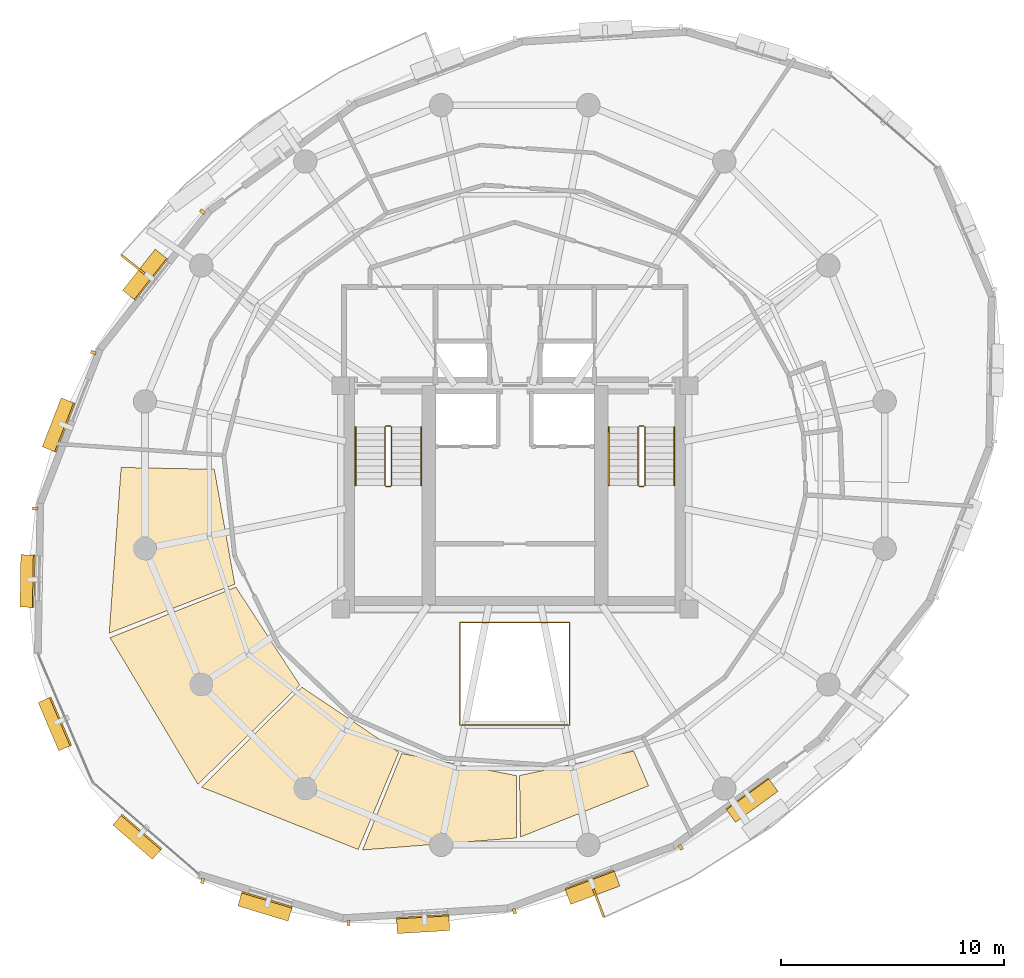
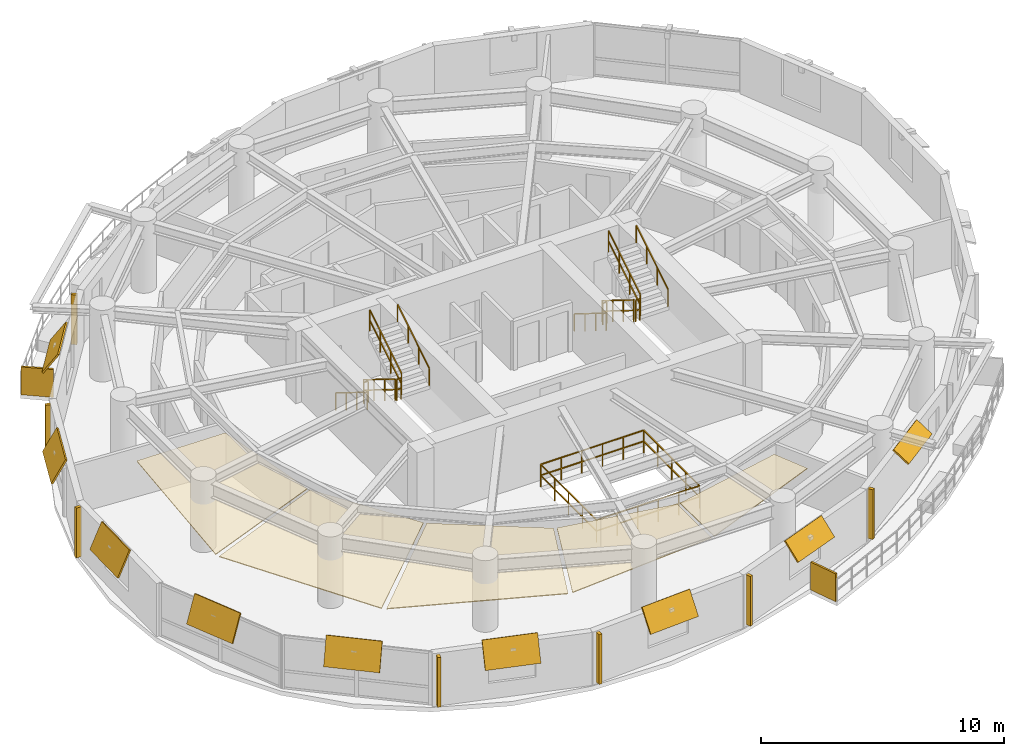
# One storey, part 11 of 12: 18 shading devices, 13 railings, 5 coverings.
"""IFC4 building model written with IfcOpenShell, lengths in metres."""

from ifc_helpers import new_model, si_unit, direction, frame, origin, origin_2d, place, context, subcontext, project, spatial, polyline, rectangle, outline, extrude, material, layer, layer_set, type_object, element, save


model = new_model("IFC4")

# Units and contexts
model_context = context("Model", 3, precision=1e-05, world=origin(), true_north=direction((0.0, 1.0)))
body_context = subcontext(model_context, "Body", "Model", "MODEL_VIEW")
ifc_project = project(units=[si_unit("LENGTHUNIT", "METRE"), si_unit("AREAUNIT", "SQUARE_METRE"), si_unit("VOLUMEUNIT", "CUBIC_METRE"), si_unit("PLANEANGLEUNIT", "RADIAN"), si_unit("MASSUNIT", "GRAM", prefix="KILO"), si_unit("THERMODYNAMICTEMPERATUREUNIT", "KELVIN"), si_unit("POWERUNIT", "WATT")], contexts=[model_context])

# Site, building, storey
site_placement = place(None, origin())
site = spatial("IfcSite", under=ifc_project, at=site_placement, CompositionType="ELEMENT")
building_placement = place(site_placement, origin())
building = spatial("IfcBuilding", under=site, at=building_placement, Name="Ocrelia Relay Tower", CompositionType="ELEMENT")
storey_placement = place(building_placement, frame((0.0, 0.0, 184.39990234375)))
storey = spatial("IfcBuildingStorey", under=building, at=storey_placement, Name="L44", CompositionType="ELEMENT", Elevation=184.39990234375)

# Coverings
ifc_material_1 = material(Name="Mineral-fiber acoustic ceiling tile", Category="gypsum")
ifc_layer_1 = layer(ifc_material_1, 0.0400390625, Name="Mineral-fiber acoustic ceiling tile")
ifc_layer_set_1 = layer_set([ifc_layer_1], Name="Mineral-fiber acoustic ceiling tile")
covering_type = type_object("IfcCoveringType", Name="COV-CEIL-ACOUSTIC", PredefinedType="CEILING", material=ifc_layer_set_1)
covering_1_placement = place(storey_placement, frame((0.0, 0.0, 2.380126953125)))
element("IfcCovering", 1, at=covering_1_placement, inside=storey, type_object=covering_type, Name="L44 Spectrum Operations Office Suspended Ceiling 1", PredefinedType="CEILING", context=body_context, shape_type="SweptSolid", body=[
    extrude(outline(polyline([(20.532470703125, 26.258544921875), (16.355224609375, 26.3388671875), (15.82177734375, 18.91259765625), (21.4501953125, 21.10693359375), (20.532470703125, 26.258544921875)])), origin(), (0.0, 0.0, 1.0), 0.0400390625),
])
covering_2_placement = place(storey_placement, frame((0.0, 0.0, 2.380126953125)))
element("IfcCovering", 2, at=covering_2_placement, inside=storey, type_object=covering_type, Name="L44 Spectrum Operations Office Suspended Ceiling 2", PredefinedType="CEILING", context=body_context, shape_type="SweptSolid", body=[
    extrude(outline(polyline([(21.501953125, 20.975830078125), (15.86279296875, 18.708984375), (19.798095703125, 12.140869140625), (24.359619140625, 16.59228515625), (21.501953125, 20.975830078125)])), origin(), (0.0, 0.0, 1.0), 0.0400390625),
])
covering_3_placement = place(storey_placement, frame((0.0, 0.0, 2.380126953125)))
element("IfcCovering", 3, at=covering_3_placement, inside=storey, type_object=covering_type, Name="L44 Spectrum Operations Office Suspended Ceiling 3", PredefinedType="CEILING", context=body_context, shape_type="SweptSolid", body=[
    extrude(outline(polyline([(24.458740234375, 16.491943359375), (19.96044921875, 12.00927734375), (26.979736328125, 9.2177734375), (28.8017578125, 13.573486328125), (24.458740234375, 16.491943359375)])), origin(), (0.0, 0.0, 1.0), 0.0400390625),
])
covering_4_placement = place(storey_placement, frame((0.0, 0.0, 2.380126953125)))
element("IfcCovering", 4, at=covering_4_placement, inside=storey, type_object=covering_type, Name="L44 Spectrum Operations Office Suspended Ceiling 4", PredefinedType="CEILING", context=body_context, shape_type="SweptSolid", body=[
    extrude(outline(polyline([(28.932373046875, 13.519775390625), (27.176513671875, 9.195556640625), (34.085205078125, 9.7333984375), (34.070556640625, 12.5302734375), (28.932373046875, 13.519775390625)])), origin(), (0.0, 0.0, 1.0), 0.0400390625),
])
covering_5_placement = place(storey_placement, frame((0.0, 0.0, 2.380126953125)))
element("IfcCovering", 5, at=covering_5_placement, inside=storey, type_object=covering_type, Name="L44 Spectrum Operations Office Suspended Ceiling 5", PredefinedType="CEILING", context=body_context, shape_type="SweptSolid", body=[
    extrude(outline(polyline([(34.211669921875, 12.53173828125), (34.2548828125, 9.7763671875), (39.997802734375, 12.072998046875), (39.327880859375, 13.62841796875), (34.211669921875, 12.53173828125)])), origin(), (0.0, 0.0, 1.0), 0.0400390625),
])

# Railings
ifc_material_2 = material(Name="Steel S355 atrium balustrade", Category="steel")
railing_type_1 = type_object("IfcRailingType", Name="RL-INT-GUARD-115", PredefinedType="GUARDRAIL", material=ifc_material_2)
railing_1_placement = place(storey_placement, frame((31.550048828125, 14.800048828125, 0.0)))
element("IfcRailing", 6, at=railing_1_placement, inside=storey, type_object=railing_type_1, Name="L44 Multi-Zone Interior Atrium Guard", PredefinedType="GUARDRAIL", context=body_context, shape_type="SweptSolid", body=[
    extrude(rectangle(XDim=0.048095703125, YDim=0.048095703125, at=origin_2d()), frame((0.0, 0.0, 1.1259765625), z_axis=(1.0, 0.0, 0.0), x_axis=(0.0, 1.0, 0.0)), (0.0, 0.0, 1.0), 4.89990234375),
    extrude(rectangle(XDim=0.048095703125, YDim=0.048095703125, at=origin_2d()), frame((0.0, 0.0, 0.574951171875), z_axis=(1.0, 0.0, 0.0), x_axis=(0.0, 1.0, 0.0)), (0.0, 0.0, 1.0), 4.89990234375),
    extrude(rectangle(XDim=0.048095703125, YDim=0.048095703125, at=origin_2d()), frame((4.89990234375, 0.0, 1.1259765625), z_axis=(0.0, 1.0, 0.0), x_axis=(-1.0, 0.0, 0.0)), (0.0, 0.0, 1.0), 4.599853515625),
    extrude(rectangle(XDim=0.048095703125, YDim=0.048095703125, at=origin_2d()), frame((4.89990234375, 0.0, 0.574951171875), z_axis=(0.0, 1.0, 0.0), x_axis=(-1.0, 0.0, 0.0)), (0.0, 0.0, 1.0), 4.599853515625),
    extrude(rectangle(XDim=0.048095703125, YDim=0.048095703125, at=origin_2d()), frame((4.89990234375, 4.599853515625, 1.1259765625), z_axis=(-1.0, 0.0, 0.0), x_axis=(0.0, -1.0, 0.0)), (0.0, 0.0, 1.0), 4.89990234375),
    extrude(rectangle(XDim=0.048095703125, YDim=0.048095703125, at=origin_2d()), frame((4.89990234375, 4.599853515625, 0.574951171875), z_axis=(-1.0, 0.0, 0.0), x_axis=(0.0, -1.0, 0.0)), (0.0, 0.0, 1.0), 4.89990234375),
    extrude(rectangle(XDim=0.048095703125, YDim=0.048095703125, at=origin_2d()), frame((0.0, 4.599853515625, 1.1259765625), z_axis=(0.0, -1.0, 0.0), x_axis=(1.0, 0.0, 0.0)), (0.0, 0.0, 1.0), 4.599853515625),
    extrude(rectangle(XDim=0.048095703125, YDim=0.048095703125, at=origin_2d()), frame((0.0, 4.599853515625, 0.574951171875), z_axis=(0.0, -1.0, 0.0), x_axis=(1.0, 0.0, 0.0)), (0.0, 0.0, 1.0), 4.599853515625),
    extrude(rectangle(XDim=0.0419921875, YDim=0.0419921875, at=origin_2d()), origin(), (0.0, 0.0, 1.0), 1.101806640625),
    extrude(rectangle(XDim=0.0419921875, YDim=0.0419921875, at=origin_2d()), frame((0.97998046875, 0.0, 0.0)), (0.0, 0.0, 1.0), 1.101806640625),
    extrude(rectangle(XDim=0.0419921875, YDim=0.0419921875, at=origin_2d()), frame((1.9599609375, 0.0, 0.0)), (0.0, 0.0, 1.0), 1.101806640625),
    extrude(rectangle(XDim=0.0419921875, YDim=0.0419921875, at=origin_2d()), frame((2.93994140625, 0.0, 0.0)), (0.0, 0.0, 1.0), 1.101806640625),
    extrude(rectangle(XDim=0.0419921875, YDim=0.0419921875, at=origin_2d()), frame((3.919921875, 0.0, 0.0)), (0.0, 0.0, 1.0), 1.101806640625),
    extrude(rectangle(XDim=0.0419921875, YDim=0.0419921875, at=origin_2d()), frame((4.89990234375, 0.0, 0.0)), (0.0, 0.0, 1.0), 1.101806640625),
    extrude(rectangle(XDim=0.0419921875, YDim=0.0419921875, at=origin_2d()), frame((4.89990234375, 1.14990234375, 0.0)), (0.0, 0.0, 1.0), 1.101806640625),
    extrude(rectangle(XDim=0.0419921875, YDim=0.0419921875, at=origin_2d()), frame((4.89990234375, 2.2998046875, 0.0)), (0.0, 0.0, 1.0), 1.101806640625),
    extrude(rectangle(XDim=0.0419921875, YDim=0.0419921875, at=origin_2d()), frame((4.89990234375, 3.449951171875, 0.0)), (0.0, 0.0, 1.0), 1.101806640625),
    extrude(rectangle(XDim=0.0419921875, YDim=0.0419921875, at=origin_2d()), frame((4.89990234375, 4.599853515625, 0.0)), (0.0, 0.0, 1.0), 1.101806640625),
    extrude(rectangle(XDim=0.0419921875, YDim=0.0419921875, at=origin_2d()), frame((3.919921875, 4.599853515625, 0.0)), (0.0, 0.0, 1.0), 1.101806640625),
    extrude(rectangle(XDim=0.0419921875, YDim=0.0419921875, at=origin_2d()), frame((2.93994140625, 4.599853515625, 0.0)), (0.0, 0.0, 1.0), 1.101806640625),
    extrude(rectangle(XDim=0.0419921875, YDim=0.0419921875, at=origin_2d()), frame((1.9599609375, 4.599853515625, 0.0)), (0.0, 0.0, 1.0), 1.101806640625),
    extrude(rectangle(XDim=0.0419921875, YDim=0.0419921875, at=origin_2d()), frame((0.97998046875, 4.599853515625, 0.0)), (0.0, 0.0, 1.0), 1.101806640625),
    extrude(rectangle(XDim=0.0419921875, YDim=0.0419921875, at=origin_2d()), frame((0.0, 4.599853515625, 0.0)), (0.0, 0.0, 1.0), 1.101806640625),
    extrude(rectangle(XDim=0.0419921875, YDim=0.0419921875, at=origin_2d()), frame((0.0, 3.449951171875, 0.0)), (0.0, 0.0, 1.0), 1.101806640625),
    extrude(rectangle(XDim=0.0419921875, YDim=0.0419921875, at=origin_2d()), frame((0.0, 2.2998046875, 0.0)), (0.0, 0.0, 1.0), 1.101806640625),
    extrude(rectangle(XDim=0.0419921875, YDim=0.0419921875, at=origin_2d()), frame((0.0, 1.14990234375, 0.0)), (0.0, 0.0, 1.0), 1.101806640625),
])
ifc_material_3 = material(Name="Steel S355 balustrade", Category="steel")
railing_type_2 = type_object("IfcRailingType", Name="RL-STAIR-GUARD", PredefinedType="GUARDRAIL", material=ifc_material_3)
railing_2_placement = place(storey_placement, frame((28.179931640625, 28.14990234375, 0.18017578125)))
element("IfcRailing", 7, at=railing_2_placement, inside=storey, type_object=railing_type_2, Name="L44 ST1 stair guard 1", PredefinedType="GUARDRAIL", context=body_context, shape_type="SweptSolid", body=[
    extrude(rectangle(XDim=0.048095703125, YDim=0.048095703125, at=origin_2d()), frame((0.0, 0.0, 1.076171875), z_axis=(0.0, -0.849646306263, 0.527352969322), x_axis=(1.0, 0.0, 0.0)), (0.0, 0.0, 1.0), 3.07177734375),
    extrude(rectangle(XDim=0.048095703125, YDim=0.048095703125, at=origin_2d()), frame((0.0, 0.0, 0.550048828125), z_axis=(0.0, -0.849646306263, 0.527352969322), x_axis=(1.0, 0.0, 0.0)), (0.0, 0.0, 1.0), 3.07177734375),
    extrude(rectangle(XDim=0.0419921875, YDim=0.0419921875, at=origin_2d()), origin(), (0.0, 0.0, 1.0), 1.052001953125),
    extrude(rectangle(XDim=0.0419921875, YDim=0.0419921875, at=origin_2d()), frame((0.0, -0.869873046875, 0.5400390625)), (0.0, 0.0, 1.0), 1.052001953125),
    extrude(rectangle(XDim=0.0419921875, YDim=0.0419921875, at=origin_2d()), frame((0.0, -1.739990234375, 1.079833984375)), (0.0, 0.0, 1.0), 1.052001953125),
    extrude(rectangle(XDim=0.0419921875, YDim=0.0419921875, at=origin_2d()), frame((0.0, -2.60986328125, 1.619873046875)), (0.0, 0.0, 1.0), 1.052001953125),
])
railing_3_placement = place(storey_placement, frame((28.22998046875, 25.489990234375, 1.800048828125)))
element("IfcRailing", 8, at=railing_3_placement, inside=storey, type_object=railing_type_2, Name="L44 ST1 stair guard 2", PredefinedType="GUARDRAIL", context=body_context, shape_type="SweptSolid", body=[
    extrude(rectangle(XDim=0.048095703125, YDim=0.048095703125, at=origin_2d()), frame((0.0, 0.0, 1.076171875), z_axis=(1.0, 0.0, 0.0), x_axis=(0.0, 1.0, 0.0)), (0.0, 0.0, 1.0), 0.199951171875),
    extrude(rectangle(XDim=0.048095703125, YDim=0.048095703125, at=origin_2d()), frame((0.0, 0.0, 0.550048828125), z_axis=(1.0, 0.0, 0.0), x_axis=(0.0, 1.0, 0.0)), (0.0, 0.0, 1.0), 0.199951171875),
    extrude(rectangle(XDim=0.0419921875, YDim=0.0419921875, at=origin_2d()), origin(), (0.0, 0.0, 1.0), 1.052001953125),
    extrude(rectangle(XDim=0.0419921875, YDim=0.0419921875, at=origin_2d()), frame((0.199951171875, 0.0, 0.0)), (0.0, 0.0, 1.0), 1.052001953125),
])
railing_4_placement = place(storey_placement, frame((28.47998046875, 25.5400390625, 1.97998046875)))
element("IfcRailing", 9, at=railing_4_placement, inside=storey, type_object=railing_type_2, Name="L44 ST1 stair guard 3", PredefinedType="GUARDRAIL", context=body_context, shape_type="SweptSolid", body=[
    extrude(rectangle(XDim=0.048095703125, YDim=0.048095703125, at=origin_2d()), frame((0.0, 0.0, 1.076171875), z_axis=(0.0, 0.849610693518, 0.52741034258), x_axis=(-1.0, 0.0, 0.0)), (0.0, 0.0, 1.0), 3.07177734375),
    extrude(rectangle(XDim=0.048095703125, YDim=0.048095703125, at=origin_2d()), frame((0.0, 0.0, 0.550048828125), z_axis=(0.0, 0.849610693518, 0.52741034258), x_axis=(-1.0, 0.0, 0.0)), (0.0, 0.0, 1.0), 3.07177734375),
    extrude(rectangle(XDim=0.0419921875, YDim=0.0419921875, at=origin_2d()), origin(), (0.0, 0.0, 1.0), 1.052001953125),
    extrude(rectangle(XDim=0.0419921875, YDim=0.0419921875, at=origin_2d()), frame((0.0, 0.869873046875, 0.5400390625)), (0.0, 0.0, 1.0), 1.052001953125),
    extrude(rectangle(XDim=0.0419921875, YDim=0.0419921875, at=origin_2d()), frame((0.0, 1.739990234375, 1.080078125)), (0.0, 0.0, 1.0), 1.052001953125),
    extrude(rectangle(XDim=0.0419921875, YDim=0.0419921875, at=origin_2d()), frame((0.0, 2.60986328125, 1.6201171875)), (0.0, 0.0, 1.0), 1.052001953125),
])
railing_5_placement = place(storey_placement, frame((28.22998046875, 28.199951171875, 0.0)))
element("IfcRailing", 10, at=railing_5_placement, inside=storey, type_object=railing_type_2, Name="L44 ST1 stair guard 4", PredefinedType="GUARDRAIL", context=body_context, shape_type="SweptSolid", body=[
    extrude(rectangle(XDim=0.048095703125, YDim=0.048095703125, at=origin_2d()), frame((0.0, 0.0, 1.076171875), z_axis=(1.0, 0.0, 0.0), x_axis=(0.0, 1.0, 0.0)), (0.0, 0.0, 1.0), 0.199951171875),
    extrude(rectangle(XDim=0.048095703125, YDim=0.048095703125, at=origin_2d()), frame((0.0, 0.0, 0.550048828125), z_axis=(1.0, 0.0, 0.0), x_axis=(0.0, 1.0, 0.0)), (0.0, 0.0, 1.0), 0.199951171875),
    extrude(rectangle(XDim=0.0419921875, YDim=0.0419921875, at=origin_2d()), origin(), (0.0, 0.0, 1.0), 1.052001953125),
    extrude(rectangle(XDim=0.0419921875, YDim=0.0419921875, at=origin_2d()), frame((0.199951171875, 0.0, 0.0)), (0.0, 0.0, 1.0), 1.052001953125),
])
railing_6_placement = place(storey_placement, frame((39.530029296875, 28.14990234375, 0.18017578125)))
element("IfcRailing", 11, at=railing_6_placement, inside=storey, type_object=railing_type_2, Name="L44 ST2 stair guard 1", PredefinedType="GUARDRAIL", context=body_context, shape_type="SweptSolid", body=[
    extrude(rectangle(XDim=0.048095703125, YDim=0.048095703125, at=origin_2d()), frame((0.0, 0.0, 1.076171875), z_axis=(0.0, -0.849646306263, 0.527352969322), x_axis=(1.0, 0.0, 0.0)), (0.0, 0.0, 1.0), 3.07177734375),
    extrude(rectangle(XDim=0.048095703125, YDim=0.048095703125, at=origin_2d()), frame((0.0, 0.0, 0.550048828125), z_axis=(0.0, -0.849646306263, 0.527352969322), x_axis=(1.0, 0.0, 0.0)), (0.0, 0.0, 1.0), 3.07177734375),
    extrude(rectangle(XDim=0.0419921875, YDim=0.0419921875, at=origin_2d()), origin(), (0.0, 0.0, 1.0), 1.052001953125),
    extrude(rectangle(XDim=0.0419921875, YDim=0.0419921875, at=origin_2d()), frame((0.0, -0.869873046875, 0.5400390625)), (0.0, 0.0, 1.0), 1.052001953125),
    extrude(rectangle(XDim=0.0419921875, YDim=0.0419921875, at=origin_2d()), frame((0.0, -1.739990234375, 1.079833984375)), (0.0, 0.0, 1.0), 1.052001953125),
    extrude(rectangle(XDim=0.0419921875, YDim=0.0419921875, at=origin_2d()), frame((0.0, -2.60986328125, 1.619873046875)), (0.0, 0.0, 1.0), 1.052001953125),
])
railing_7_placement = place(storey_placement, frame((39.580078125, 25.489990234375, 1.800048828125)))
element("IfcRailing", 12, at=railing_7_placement, inside=storey, type_object=railing_type_2, Name="L44 ST2 stair guard 2", PredefinedType="GUARDRAIL", context=body_context, shape_type="SweptSolid", body=[
    extrude(rectangle(XDim=0.048095703125, YDim=0.048095703125, at=origin_2d()), frame((0.0, 0.0, 1.076171875), z_axis=(1.0, 0.0, 0.0), x_axis=(0.0, 1.0, 0.0)), (0.0, 0.0, 1.0), 0.199951171875),
    extrude(rectangle(XDim=0.048095703125, YDim=0.048095703125, at=origin_2d()), frame((0.0, 0.0, 0.550048828125), z_axis=(1.0, 0.0, 0.0), x_axis=(0.0, 1.0, 0.0)), (0.0, 0.0, 1.0), 0.199951171875),
    extrude(rectangle(XDim=0.0419921875, YDim=0.0419921875, at=origin_2d()), origin(), (0.0, 0.0, 1.0), 1.052001953125),
    extrude(rectangle(XDim=0.0419921875, YDim=0.0419921875, at=origin_2d()), frame((0.199951171875, 0.0, 0.0)), (0.0, 0.0, 1.0), 1.052001953125),
])
railing_8_placement = place(storey_placement, frame((39.830078125, 25.5400390625, 1.97998046875)))
element("IfcRailing", 13, at=railing_8_placement, inside=storey, type_object=railing_type_2, Name="L44 ST2 stair guard 3", PredefinedType="GUARDRAIL", context=body_context, shape_type="SweptSolid", body=[
    extrude(rectangle(XDim=0.048095703125, YDim=0.048095703125, at=origin_2d()), frame((0.0, 0.0, 1.076171875), z_axis=(0.0, 0.849610693518, 0.52741034258), x_axis=(-1.0, 0.0, 0.0)), (0.0, 0.0, 1.0), 3.07177734375),
    extrude(rectangle(XDim=0.048095703125, YDim=0.048095703125, at=origin_2d()), frame((0.0, 0.0, 0.550048828125), z_axis=(0.0, 0.849610693518, 0.52741034258), x_axis=(-1.0, 0.0, 0.0)), (0.0, 0.0, 1.0), 3.07177734375),
    extrude(rectangle(XDim=0.0419921875, YDim=0.0419921875, at=origin_2d()), origin(), (0.0, 0.0, 1.0), 1.052001953125),
    extrude(rectangle(XDim=0.0419921875, YDim=0.0419921875, at=origin_2d()), frame((0.0, 0.869873046875, 0.5400390625)), (0.0, 0.0, 1.0), 1.052001953125),
    extrude(rectangle(XDim=0.0419921875, YDim=0.0419921875, at=origin_2d()), frame((0.0, 1.739990234375, 1.080078125)), (0.0, 0.0, 1.0), 1.052001953125),
    extrude(rectangle(XDim=0.0419921875, YDim=0.0419921875, at=origin_2d()), frame((0.0, 2.60986328125, 1.6201171875)), (0.0, 0.0, 1.0), 1.052001953125),
])
railing_9_placement = place(storey_placement, frame((39.580078125, 28.199951171875, 0.0)))
element("IfcRailing", 14, at=railing_9_placement, inside=storey, type_object=railing_type_2, Name="L44 ST2 stair guard 4", PredefinedType="GUARDRAIL", context=body_context, shape_type="SweptSolid", body=[
    extrude(rectangle(XDim=0.048095703125, YDim=0.048095703125, at=origin_2d()), frame((0.0, 0.0, 1.076171875), z_axis=(1.0, 0.0, 0.0), x_axis=(0.0, 1.0, 0.0)), (0.0, 0.0, 1.0), 0.199951171875),
    extrude(rectangle(XDim=0.048095703125, YDim=0.048095703125, at=origin_2d()), frame((0.0, 0.0, 0.550048828125), z_axis=(1.0, 0.0, 0.0), x_axis=(0.0, 1.0, 0.0)), (0.0, 0.0, 1.0), 0.199951171875),
    extrude(rectangle(XDim=0.0419921875, YDim=0.0419921875, at=origin_2d()), origin(), (0.0, 0.0, 1.0), 1.052001953125),
    extrude(rectangle(XDim=0.0419921875, YDim=0.0419921875, at=origin_2d()), frame((0.199951171875, 0.0, 0.0)), (0.0, 0.0, 1.0), 1.052001953125),
])
ifc_material_4 = material(Name="Steel S355 tubular handrail", Category="steel")
railing_type_3 = type_object("IfcRailingType", Name="RL-STAIR-HAND", PredefinedType="HANDRAIL", material=ifc_material_4)
railing_10_placement = place(storey_placement, frame((26.860107421875, 28.14990234375, 0.18017578125)))
element("IfcRailing", 15, at=railing_10_placement, inside=storey, type_object=railing_type_3, Name="L44 ST1 stair handrail 1", PredefinedType="HANDRAIL", context=body_context, shape_type="SweptSolid", body=[
    extrude(rectangle(XDim=0.048095703125, YDim=0.048095703125, at=origin_2d()), frame((0.0, 0.0, 0.8759765625), z_axis=(0.0, -0.849646306263, 0.527352969322), x_axis=(1.0, 0.0, 0.0)), (0.0, 0.0, 1.0), 3.07177734375),
    extrude(rectangle(XDim=0.0419921875, YDim=0.0419921875, at=origin_2d()), origin(), (0.0, 0.0, 1.0), 0.851806640625),
    extrude(rectangle(XDim=0.0419921875, YDim=0.0419921875, at=origin_2d()), frame((0.0, -0.869873046875, 0.5400390625)), (0.0, 0.0, 1.0), 0.851806640625),
    extrude(rectangle(XDim=0.0419921875, YDim=0.0419921875, at=origin_2d()), frame((0.0, -1.739990234375, 1.079833984375)), (0.0, 0.0, 1.0), 0.851806640625),
    extrude(rectangle(XDim=0.0419921875, YDim=0.0419921875, at=origin_2d()), frame((0.0, -2.60986328125, 1.619873046875)), (0.0, 0.0, 1.0), 0.851806640625),
])
railing_11_placement = place(storey_placement, frame((29.800048828125, 25.5400390625, 1.97998046875)))
element("IfcRailing", 16, at=railing_11_placement, inside=storey, type_object=railing_type_3, Name="L44 ST1 stair handrail 2", PredefinedType="HANDRAIL", context=body_context, shape_type="SweptSolid", body=[
    extrude(rectangle(XDim=0.048095703125, YDim=0.048095703125, at=origin_2d()), frame((0.0, 0.0, 0.8759765625), z_axis=(0.0, 0.849610693518, 0.52741034258), x_axis=(-1.0, 0.0, 0.0)), (0.0, 0.0, 1.0), 3.07177734375),
    extrude(rectangle(XDim=0.0419921875, YDim=0.0419921875, at=origin_2d()), origin(), (0.0, 0.0, 1.0), 0.851806640625),
    extrude(rectangle(XDim=0.0419921875, YDim=0.0419921875, at=origin_2d()), frame((0.0, 0.869873046875, 0.5400390625)), (0.0, 0.0, 1.0), 0.851806640625),
    extrude(rectangle(XDim=0.0419921875, YDim=0.0419921875, at=origin_2d()), frame((0.0, 1.739990234375, 1.080078125)), (0.0, 0.0, 1.0), 0.851806640625),
    extrude(rectangle(XDim=0.0419921875, YDim=0.0419921875, at=origin_2d()), frame((0.0, 2.60986328125, 1.6201171875)), (0.0, 0.0, 1.0), 0.851806640625),
])
railing_12_placement = place(storey_placement, frame((38.2099609375, 28.14990234375, 0.18017578125)))
element("IfcRailing", 17, at=railing_12_placement, inside=storey, type_object=railing_type_3, Name="L44 ST2 stair handrail 1", PredefinedType="HANDRAIL", context=body_context, shape_type="SweptSolid", body=[
    extrude(rectangle(XDim=0.048095703125, YDim=0.048095703125, at=origin_2d()), frame((0.0, 0.0, 0.8759765625), z_axis=(0.0, -0.849646306263, 0.527352969322), x_axis=(1.0, 0.0, 0.0)), (0.0, 0.0, 1.0), 3.07177734375),
    extrude(rectangle(XDim=0.0419921875, YDim=0.0419921875, at=origin_2d()), origin(), (0.0, 0.0, 1.0), 0.851806640625),
    extrude(rectangle(XDim=0.0419921875, YDim=0.0419921875, at=origin_2d()), frame((0.0, -0.869873046875, 0.5400390625)), (0.0, 0.0, 1.0), 0.851806640625),
    extrude(rectangle(XDim=0.0419921875, YDim=0.0419921875, at=origin_2d()), frame((0.0, -1.739990234375, 1.079833984375)), (0.0, 0.0, 1.0), 0.851806640625),
    extrude(rectangle(XDim=0.0419921875, YDim=0.0419921875, at=origin_2d()), frame((0.0, -2.60986328125, 1.619873046875)), (0.0, 0.0, 1.0), 0.851806640625),
])
railing_13_placement = place(storey_placement, frame((41.14990234375, 25.5400390625, 1.97998046875)))
element("IfcRailing", 18, at=railing_13_placement, inside=storey, type_object=railing_type_3, Name="L44 ST2 stair handrail 2", PredefinedType="HANDRAIL", context=body_context, shape_type="SweptSolid", body=[
    extrude(rectangle(XDim=0.048095703125, YDim=0.048095703125, at=origin_2d()), frame((0.0, 0.0, 0.8759765625), z_axis=(0.0, 0.849610693518, 0.52741034258), x_axis=(-1.0, 0.0, 0.0)), (0.0, 0.0, 1.0), 3.07177734375),
    extrude(rectangle(XDim=0.0419921875, YDim=0.0419921875, at=origin_2d()), origin(), (0.0, 0.0, 1.0), 0.851806640625),
    extrude(rectangle(XDim=0.0419921875, YDim=0.0419921875, at=origin_2d()), frame((0.0, 0.869873046875, 0.5400390625)), (0.0, 0.0, 1.0), 0.851806640625),
    extrude(rectangle(XDim=0.0419921875, YDim=0.0419921875, at=origin_2d()), frame((0.0, 1.739990234375, 1.080078125)), (0.0, 0.0, 1.0), 0.851806640625),
    extrude(rectangle(XDim=0.0419921875, YDim=0.0419921875, at=origin_2d()), frame((0.0, 2.60986328125, 1.6201171875)), (0.0, 0.0, 1.0), 0.851806640625),
])

# Shading devices
ifc_material_5 = material(Name="Perforated oxide terracotta solar screen", Category="masonry")
ifc_layer_2 = layer(ifc_material_5, 0.090087890625, Name="Perforated oxide terracotta solar screen")
ifc_layer_set_2 = layer_set([ifc_layer_2], Name="Perforated oxide terracotta solar screen")
shading_device_type_1 = type_object("IfcShadingDeviceType", Name="SH-BALC-SCREEN", PredefinedType="USERDEFINED", material=ifc_layer_set_2)
for number, where, z_axis, x_axis, name in (
    (19, (16.88623046875, 35.436767578125, 0.000244140625), (0.0, 0.0, 1.0), (-0.785273862347, 0.619148577577, 0.0), "L44 Balcony Perforated Terracotta Screen B1-2"),
    (20, (37.75341796875, 6.820556640625, 0.000244140625), (0.0, 0.0, 1.0), (0.349487096544, -0.936941177102, 0.0), "L44 Balcony Perforated Terracotta Screen B2-1"),
):
    element("IfcShadingDevice", number, at=place(storey_placement, frame(where, z_axis=z_axis, x_axis=x_axis)), inside=storey, type_object=shading_device_type_1, Name=name, ObjectType="SCREEN", PredefinedType="USERDEFINED", context=body_context, shape_type="SweptSolid", body=[
        extrude(rectangle(XDim=1.340087890625, YDim=0.090087890625, at=origin_2d()), origin(), (0.0, 0.0, 1.0), 1.39990234375),
    ])
ifc_material_6 = material(Name="Extruded oxide terracotta vertical baguette", Category="masonry")
shading_device_type_2 = type_object("IfcShadingDeviceType", Name="SH-TERR-BAGUETTE", PredefinedType="USERDEFINED", material=ifc_material_6)
for number, where, z_axis, x_axis, name in (
    (21, (20.001220703125, 37.8037109375, 0.080078125), (0.0, 0.0, 1.0), (-0.620347134048, -0.784327376341, 0.0), "L44 Oxide Terracotta Vertical Baguette 06"),
    (22, (15.11181640625, 31.4912109375, 0.080078125), (0.0, 0.0, 1.0), (-0.361700518189, -0.932294339327, 0.0), "L44 Oxide Terracotta Vertical Baguette 07"),
    (23, (12.50341796875, 24.498779296875, 0.080078125), (0.0, 0.0, 1.0), (-0.016471423596, -0.9998643369, 0.0), "L44 Oxide Terracotta Vertical Baguette 08"),
    (24, (20.00341796875, 7.807861328125, 0.080078125), (0.0, 0.0, 1.0), (0.957034753041, -0.289973242683, 0.0), "L44 Oxide Terracotta Vertical Baguette 11"),
    (25, (26.548828125, 5.926513671875, 0.080078125), (0.0, 0.0, 1.0), (0.998234382857, 0.059397953524, 0.0), "L44 Oxide Terracotta Vertical Baguette 12"),
    (26, (33.985595703125, 6.449951171875, 0.080078125), (0.0, 0.0, 1.0), (0.936417280816, 0.350888409881, 0.0), "L44 Oxide Terracotta Vertical Baguette 13"),
    (27, (41.4326171875, 9.318115234375, 0.080078125), (0.0, 0.0, 1.0), (0.807991542672, 0.5891940826, 0.0), "L44 Oxide Terracotta Vertical Baguette 14"),
):
    element("IfcShadingDevice", number, at=place(storey_placement, frame(where, z_axis=z_axis, x_axis=x_axis)), inside=storey, type_object=shading_device_type_2, Name=name, ObjectType="BAGUETTE", PredefinedType="USERDEFINED", context=body_context, shape_type="SweptSolid", body=[
        extrude(rectangle(XDim=0.139892578125, YDim=0.239990234375, at=origin_2d()), origin(), (0.0, 0.0, 1.0), 2.5),
    ])
ifc_material_7 = material(Name="Extruded oxide terracotta fin", Category="masonry")
ifc_layer_3 = layer(ifc_material_7, 0.080078125, Name="Extruded oxide terracotta fin")
ifc_layer_set_3 = layer_set([ifc_layer_3], Name="Extruded oxide terracotta fin")
shading_device_type_3 = type_object("IfcShadingDeviceType", Name="SH-VISOR-FIN-DEEP", PredefinedType="USERDEFINED", material=ifc_layer_set_3)
shading_device_1_placement = place(storey_placement, frame((17.46484375, 34.954345703125, 2.477783203125), z_axis=(-0.652448430727, 0.516040273902, 0.554989622383), x_axis=(-0.620347134048, -0.784327376341, 0.0)))
element("IfcShadingDevice", 28, at=shading_device_1_placement, inside=storey, type_object=shading_device_type_3, Name="L44 Canted Terracotta Sun-Visor Fin 06", ObjectType="FIN", PredefinedType="USERDEFINED", context=body_context, shape_type="SweptSolid", body=[
    extrude(rectangle(XDim=2.35009765625, YDim=1.18798828125, at=origin_2d()), origin(), (0.0, 0.0, 1.0), 0.080078125),
])
shading_device_2_placement = place(storey_placement, frame((13.589599609375, 28.227294921875, 2.4814453125), z_axis=(-0.827105396139, 0.320890557585, 0.461438959919), x_axis=(-0.361700518189, -0.932294339327, 0.0)))
element("IfcShadingDevice", 29, at=shading_device_2_placement, inside=storey, type_object=shading_device_type_3, Name="L44 Canted Terracotta Sun-Visor Fin 07", ObjectType="FIN", PredefinedType="USERDEFINED", context=body_context, shape_type="SweptSolid", body=[
    extrude(rectangle(XDim=2.35009765625, YDim=1.2919921875, at=origin_2d()), origin(), (0.0, 0.0, 1.0), 0.080078125),
])
shading_device_3_placement = place(storey_placement, frame((12.195068359375, 21.248779296875, 2.4833984375), z_axis=(-0.909185390259, 0.0149776096, 0.416122094283), x_axis=(-0.016471423596, -0.9998643369, 0.0)))
element("IfcShadingDevice", 30, at=shading_device_3_placement, inside=storey, type_object=shading_device_type_3, Name="L44 Canted Terracotta Sun-Visor Fin 08", ObjectType="FIN", PredefinedType="USERDEFINED", context=body_context, shape_type="SweptSolid", body=[
    extrude(rectangle(XDim=2.35009765625, YDim=1.340087890625, at=origin_2d()), origin(), (0.0, 0.0, 1.0), 0.080078125),
])
shading_device_4_placement = place(storey_placement, frame((13.42041015625, 14.8603515625, 2.483642578125), z_axis=(-0.839915002492, -0.358593018405, 0.407374318949), x_axis=(0.392651069891, -0.91968752156, 0.0)))
element("IfcShadingDevice", 31, at=shading_device_4_placement, inside=storey, type_object=shading_device_type_3, Name="L44 Canted Terracotta Sun-Visor Fin 09", ObjectType="FIN", PredefinedType="USERDEFINED", context=body_context, shape_type="SweptSolid", body=[
    extrude(rectangle(XDim=2.35009765625, YDim=1.34912109375, at=origin_2d()), origin(), (0.0, 0.0, 1.0), 0.080078125),
])
shading_device_5_placement = place(storey_placement, frame((17.106201171875, 9.814453125, 2.48291015625), z_axis=(-0.592273588185, -0.683261963583, 0.427042253013), x_axis=(0.755627109499, -0.655002039226, 0.0)))
element("IfcShadingDevice", 32, at=shading_device_5_placement, inside=storey, type_object=shading_device_type_3, Name="L44 Canted Terracotta Sun-Visor Fin 10", ObjectType="FIN", PredefinedType="USERDEFINED", context=body_context, shape_type="SweptSolid", body=[
    extrude(rectangle(XDim=2.35009765625, YDim=1.3291015625, at=origin_2d()), origin(), (0.0, 0.0, 1.0), 0.080078125),
])
shading_device_6_placement = place(storey_placement, frame((22.81884765625, 6.705078125, 2.48095703125), z_axis=(-0.255266870659, -0.842488997469, 0.474395524734), x_axis=(0.957034753041, -0.289973242683, 0.0)))
element("IfcShadingDevice", 33, at=shading_device_6_placement, inside=storey, type_object=shading_device_type_3, Name="L44 Canted Terracotta Sun-Visor Fin 11", ObjectType="FIN", PredefinedType="USERDEFINED", context=body_context, shape_type="SweptSolid", body=[
    extrude(rectangle(XDim=2.35009765625, YDim=1.278076171875, at=origin_2d()), origin(), (0.0, 0.0, 1.0), 0.080078125),
])
shading_device_7_placement = place(storey_placement, frame((29.887451171875, 5.911865234375, 2.477783203125), z_axis=(0.049410619512, -0.83038852938, 0.554989622383), x_axis=(0.998234382857, 0.059397953524, 0.0)))
element("IfcShadingDevice", 34, at=shading_device_7_placement, inside=storey, type_object=shading_device_type_3, Name="L44 Canted Terracotta Sun-Visor Fin 12", ObjectType="FIN", PredefinedType="USERDEFINED", context=body_context, shape_type="SweptSolid", body=[
    extrude(rectangle(XDim=2.35009765625, YDim=1.18798828125, at=origin_2d()), origin(), (0.0, 0.0, 1.0), 0.080078125),
])
ifc_layer_4 = layer(ifc_material_7, 0.080078125, Name="Extruded oxide terracotta fin")
ifc_layer_set_4 = layer_set([ifc_layer_4], Name="Extruded oxide terracotta fin")
shading_device_type_4 = type_object("IfcShadingDeviceType", Name="SH-VISOR-FIN-MED", PredefinedType="USERDEFINED", material=ifc_layer_set_4)
shading_device_8_placement = place(storey_placement, frame((37.465087890625, 7.5537109375, 2.47314453125), z_axis=(0.260555913779, -0.69534659285, 0.669778867692), x_axis=(0.936417280816, 0.350888409881, 0.0)))
element("IfcShadingDevice", 35, at=shading_device_8_placement, inside=storey, type_object=shading_device_type_4, Name="L44 Canted Terracotta Sun-Visor Fin 13", ObjectType="FIN", PredefinedType="USERDEFINED", context=body_context, shape_type="SweptSolid", body=[
    extrude(rectangle(XDim=2.35009765625, YDim=1.049072265625, at=origin_2d()), origin(), (0.0, 0.0, 1.0), 0.080078125),
])
shading_device_9_placement = place(storey_placement, frame((44.610107421875, 11.449462890625, 2.46826171875), z_axis=(0.357698843585, -0.490530453335, 0.794626586297), x_axis=(0.807991542672, 0.5891940826, 0.0)))
element("IfcShadingDevice", 36, at=shading_device_9_placement, inside=storey, type_object=shading_device_type_4, Name="L44 Canted Terracotta Sun-Visor Fin 14", ObjectType="FIN", PredefinedType="USERDEFINED", context=body_context, shape_type="SweptSolid", body=[
    extrude(rectangle(XDim=2.35009765625, YDim=0.873046875, at=origin_2d()), origin(), (0.0, 0.0, 1.0), 0.080078125),
])

save(model, "model.ifc")
